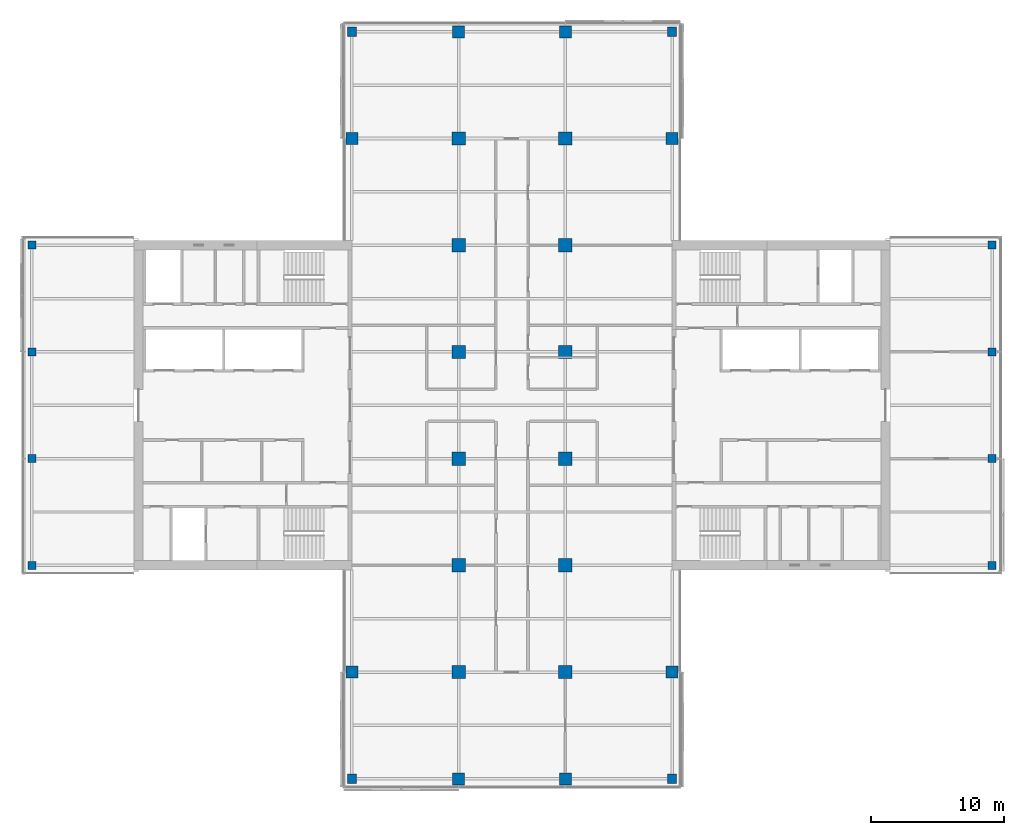
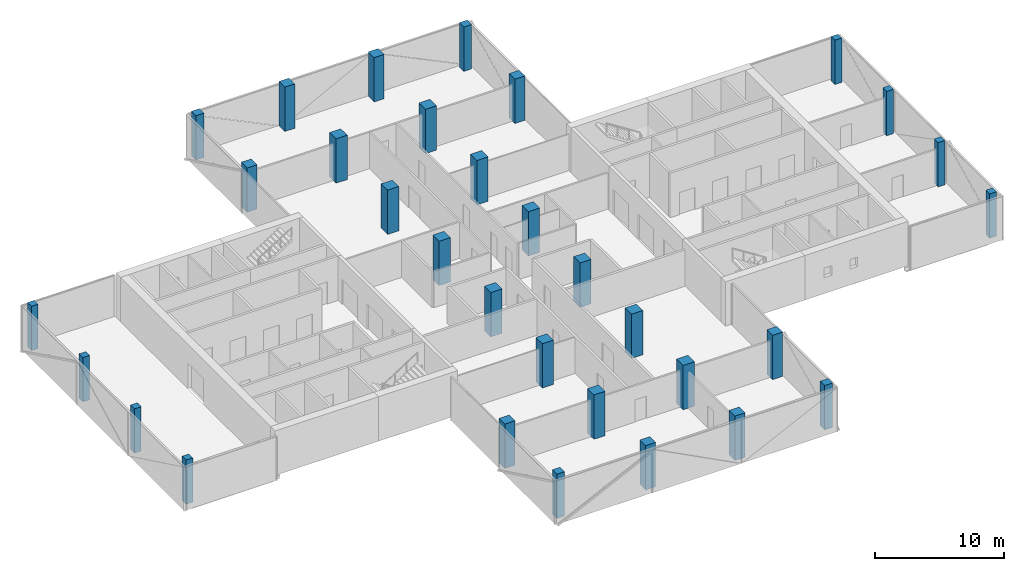
# One storey, part 1 of 22: 32 columns.
"""IFC4 building model written with IfcOpenShell, lengths in metres."""

from ifc_helpers import new_model, si_unit, direction, frame, origin, origin_2d, place, context, subcontext, project, spatial, rectangle, extrude, material, material_profile, profile_set, type_object, element, save


model = new_model("IFC4")

# Units and contexts
model_context = context("Model", 3, precision=1e-05, world=origin(), true_north=direction((0.0, 1.0)))
body_context = subcontext(model_context, "Body", "Model", "MODEL_VIEW")
ifc_project = project(units=[si_unit("LENGTHUNIT", "METRE"), si_unit("AREAUNIT", "SQUARE_METRE"), si_unit("VOLUMEUNIT", "CUBIC_METRE"), si_unit("PLANEANGLEUNIT", "RADIAN"), si_unit("MASSUNIT", "GRAM", prefix="KILO")], contexts=[model_context])

# Site, building, storey
site_placement = place(None, origin())
site = spatial("IfcSite", under=ifc_project, at=site_placement, CompositionType="ELEMENT")
building_placement = place(site_placement, origin())
building = spatial("IfcBuilding", under=site, at=building_placement, Name="Crosswind Convention Tower", CompositionType="ELEMENT")
storey_placement = place(building_placement, frame((0.0, 0.0, 142.10009765625)))
storey = spatial("IfcBuildingStorey", under=building, at=storey_placement, Name="L29", CompositionType="ELEMENT", Elevation=142.10009765625)

# Columns
ifc_material_1 = material(Name="Concrete C70/85", Category="concrete")
ifc_material_profile_1 = material_profile(ifc_material_1, rectangle(XDim=1.0, YDim=1.0, at=origin_2d()), Name="RC 1000X1000")
ifc_profile_set_1 = profile_set([ifc_material_profile_1], Name="Concrete C70/85")
column_type_1 = type_object("IfcColumnType", Name="Column RC 1000X1000", PredefinedType="COLUMN", material=ifc_profile_set_1)
for number, where, z_axis, x_axis, name in (
    (1, (121.0, 80.0, 0.0), (0.0, 0.0, 1.0), (1.0, 0.0, 0.0), "C12 L29 6/D"),
    (2, (121.0, 88.0, 0.0), (0.0, 0.0, 1.0), (1.0, 0.0, 0.0), "C12 L29 6/E"),
    (3, (121.0, 96.0, 0.0), (0.0, 0.0, 1.0), (1.0, 0.0, 0.0), "C12 L29 6/F"),
    (4, (121.0, 104.0, 0.0), (0.0, 0.0, 1.0), (1.0, 0.0, 0.0), "C12 L29 6/G"),
    (5, (121.0, 112.0, 0.0), (0.0, 0.0, 1.0), (1.0, 0.0, 0.0), "C12 L29 6/H"),
    (6, (121.0, 120.0, 0.0), (0.0, 0.0, 1.0), (1.0, 0.0, 0.0), "C12 L29 6/I"),
    (7, (129.0, 80.0, 0.0), (0.0, 0.0, 1.0), (1.0, 0.0, 0.0), "C12 L29 7/D"),
    (8, (129.0, 88.0, 0.0), (0.0, 0.0, 1.0), (1.0, 0.0, 0.0), "C12 L29 7/E"),
    (9, (129.0, 96.0, 0.0), (0.0, 0.0, 1.0), (1.0, 0.0, 0.0), "C12 L29 7/F"),
    (10, (129.0, 104.0, 0.0), (0.0, 0.0, 1.0), (1.0, 0.0, 0.0), "C12 L29 7/G"),
    (11, (129.0, 112.0, 0.0), (0.0, 0.0, 1.0), (1.0, 0.0, 0.0), "C12 L29 7/H"),
    (12, (129.0, 120.0, 0.0), (0.0, 0.0, 1.0), (1.0, 0.0, 0.0), "C12 L29 7/I"),
):
    element("IfcColumn", number, at=place(storey_placement, frame(where, z_axis=z_axis, x_axis=x_axis)), inside=storey, type_object=column_type_1, Name=name, PredefinedType="COLUMN", context=body_context, shape_type="SweptSolid", body=[
        extrude(rectangle(XDim=1.0, YDim=1.0, at=origin_2d()), origin(), (0.0, 0.0, 1.0), 4.199951171875),
    ])
ifc_material_2 = material(Name="Concrete C60/75", Category="concrete")
ifc_material_profile_2 = material_profile(ifc_material_2, rectangle(XDim=0.60009765625, YDim=0.60009765625, at=origin_2d()), Name="RC 600X600")
ifc_profile_set_2 = profile_set([ifc_material_profile_2], Name="Concrete C60/75")
column_type_2 = type_object("IfcColumnType", Name="Column RC 600X600", PredefinedType="COLUMN", material=ifc_profile_set_2)
for number, where, z_axis, x_axis, name in (
    (13, (89.0, 88.0, 0.0), (0.0, 0.0, 1.0), (1.0, 0.0, 0.0), "C16 L29 2/E"),
    (14, (89.0, 96.0, 0.0), (0.0, 0.0, 1.0), (1.0, 0.0, 0.0), "C16 L29 2/F"),
    (15, (89.0, 104.0, 0.0), (0.0, 0.0, 1.0), (1.0, 0.0, 0.0), "C16 L29 2/G"),
    (16, (89.0, 112.0, 0.0), (0.0, 0.0, 1.0), (1.0, 0.0, 0.0), "C16 L29 2/H"),
    (17, (161.0, 88.0, 0.0), (0.0, 0.0, 1.0), (1.0, 0.0, 0.0), "C16 L29 11/E"),
    (18, (161.0, 96.0, 0.0), (0.0, 0.0, 1.0), (1.0, 0.0, 0.0), "C16 L29 11/F"),
    (19, (161.0, 104.0, 0.0), (0.0, 0.0, 1.0), (1.0, 0.0, 0.0), "C16 L29 11/G"),
    (20, (161.0, 112.0, 0.0), (0.0, 0.0, 1.0), (1.0, 0.0, 0.0), "C16 L29 11/H"),
):
    element("IfcColumn", number, at=place(storey_placement, frame(where, z_axis=z_axis, x_axis=x_axis)), inside=storey, type_object=column_type_2, Name=name, PredefinedType="COLUMN", context=body_context, shape_type="SweptSolid", body=[
        extrude(rectangle(XDim=0.60009765625, YDim=0.60009765625, at=origin_2d()), origin(), (0.0, 0.0, 1.0), 4.199951171875),
    ])
ifc_material_profile_3 = material_profile(ifc_material_2, rectangle(XDim=0.699951171875, YDim=0.699951171875, at=origin_2d()), Name="RC 700X700")
ifc_profile_set_3 = profile_set([ifc_material_profile_3], Name="Concrete C60/75")
column_type_3 = type_object("IfcColumnType", Name="Column RC 700X700", PredefinedType="COLUMN", material=ifc_profile_set_3)
for number, where, z_axis, x_axis, name in (
    (21, (113.0, 72.0, 0.0), (0.0, 0.0, 1.0), (1.0, 0.0, 0.0), "C15 L29 5/C"),
    (22, (113.0, 128.0, 0.0), (0.0, 0.0, 1.0), (1.0, 0.0, 0.0), "C15 L29 5/J"),
    (23, (137.0, 72.0, 0.0), (0.0, 0.0, 1.0), (1.0, 0.0, 0.0), "C15 L29 8/C"),
    (24, (137.0, 128.0, 0.0), (0.0, 0.0, 1.0), (1.0, 0.0, 0.0), "C15 L29 8/J"),
):
    element("IfcColumn", number, at=place(storey_placement, frame(where, z_axis=z_axis, x_axis=x_axis)), inside=storey, type_object=column_type_3, Name=name, PredefinedType="COLUMN", context=body_context, shape_type="SweptSolid", body=[
        extrude(rectangle(XDim=0.699951171875, YDim=0.699951171875, at=origin_2d()), origin(), (0.0, 0.0, 1.0), 4.199951171875),
    ])
ifc_material_profile_4 = material_profile(ifc_material_2, rectangle(XDim=0.89990234375, YDim=0.89990234375, at=origin_2d()), Name="RC 900X900")
ifc_profile_set_4 = profile_set([ifc_material_profile_4], Name="Concrete C60/75")
column_type_4 = type_object("IfcColumnType", Name="Column RC 900X900", PredefinedType="COLUMN", material=ifc_profile_set_4)
for number, where, z_axis, x_axis, name in (
    (25, (113.0, 80.0, 0.0), (0.0, 0.0, 1.0), (1.0, 0.0, 0.0), "C13 L29 5/D"),
    (26, (113.0, 120.0, 0.0), (0.0, 0.0, 1.0), (1.0, 0.0, 0.0), "C13 L29 5/I"),
    (27, (121.0, 72.0, 0.0), (0.0, 0.0, 1.0), (1.0, 0.0, 0.0), "C13 L29 6/C"),
    (28, (121.0, 128.0, 0.0), (0.0, 0.0, 1.0), (1.0, 0.0, 0.0), "C13 L29 6/J"),
    (29, (129.0, 72.0, 0.0), (0.0, 0.0, 1.0), (1.0, 0.0, 0.0), "C13 L29 7/C"),
    (30, (129.0, 128.0, 0.0), (0.0, 0.0, 1.0), (1.0, 0.0, 0.0), "C13 L29 7/J"),
    (31, (137.0, 80.0, 0.0), (0.0, 0.0, 1.0), (1.0, 0.0, 0.0), "C13 L29 8/D"),
    (32, (137.0, 120.0, 0.0), (0.0, 0.0, 1.0), (1.0, 0.0, 0.0), "C13 L29 8/I"),
):
    element("IfcColumn", number, at=place(storey_placement, frame(where, z_axis=z_axis, x_axis=x_axis)), inside=storey, type_object=column_type_4, Name=name, PredefinedType="COLUMN", context=body_context, shape_type="SweptSolid", body=[
        extrude(rectangle(XDim=0.89990234375, YDim=0.89990234375, at=origin_2d()), origin(), (0.0, 0.0, 1.0), 4.199951171875),
    ])

save(model, "model.ifc")
